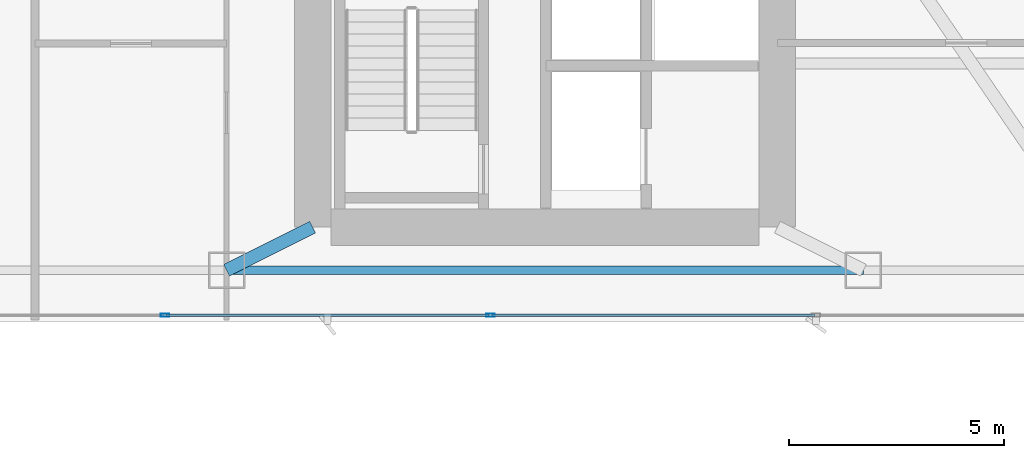
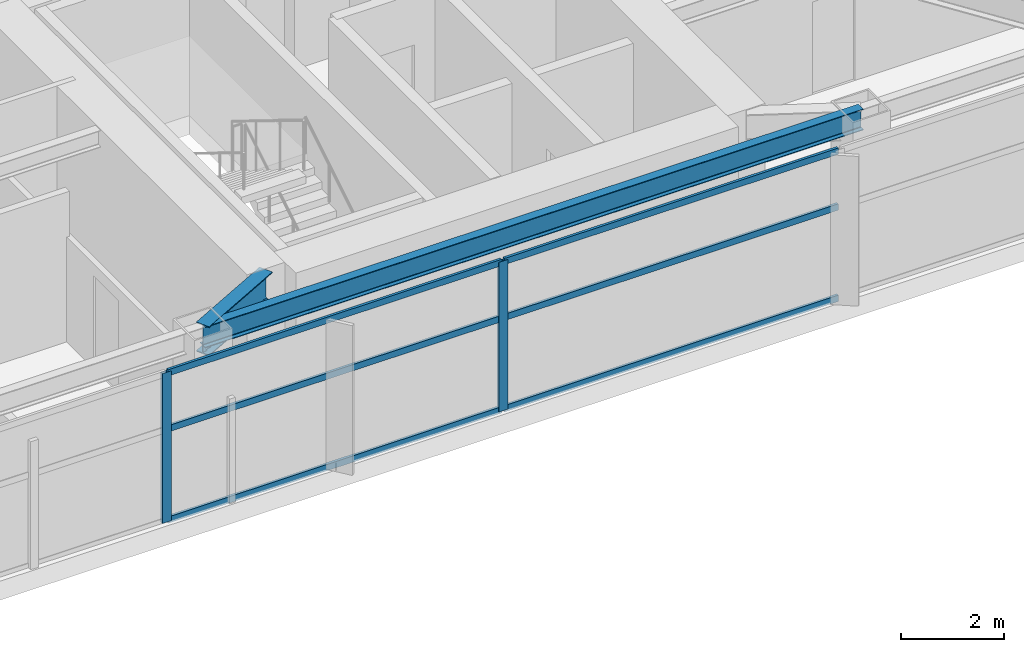
# One storey, part 6 of 28: 8 members, 2 beams, 1 element without a shape of its own.
"""IFC4 building model written with IfcOpenShell, lengths in metres."""

from ifc_helpers import new_model, si_unit, direction, frame, origin, origin_2d, place, context, subcontext, project, spatial, hollow_rectangle, i_section, extrude, material, layer, layer_set, material_profile, profile_set, type_object, element, aggregate, save


model = new_model("IFC4")

# Units and contexts
model_context = context("Model", 3, precision=1e-05, world=origin(), true_north=direction((0.0, 1.0)))
body_context = subcontext(model_context, "Body", "Model", "MODEL_VIEW")
ifc_project = project(units=[si_unit("LENGTHUNIT", "METRE"), si_unit("AREAUNIT", "SQUARE_METRE"), si_unit("VOLUMEUNIT", "CUBIC_METRE"), si_unit("PLANEANGLEUNIT", "RADIAN"), si_unit("MASSUNIT", "GRAM", prefix="KILO")], contexts=[model_context])

# Site, building, storey
site_placement = place(None, origin())
site = spatial("IfcSite", under=ifc_project, at=site_placement, CompositionType="ELEMENT")
building_placement = place(site_placement, origin())
building = spatial("IfcBuilding", under=site, at=building_placement, Name="Calvorn Quay Hotel", CompositionType="ELEMENT")
storey_placement = place(building_placement, frame((0.0, 0.0, 97.39990234375)))
storey = spatial("IfcBuildingStorey", under=building, at=storey_placement, Name="L23", CompositionType="ELEMENT", Elevation=97.39990234375)

# Beams
ifc_material_1 = material(Name="Steel Q390GJC", Category="steel")
ifc_material_profile_1 = material_profile(ifc_material_1, i_section(OverallWidth=0.300048828125, OverallDepth=0.699951171875, WebThickness=0.012939453125, FlangeThickness=0.02392578125, FilletRadius=0.02392578125, at=origin_2d()), Name="HN700x300x13x24")
ifc_profile_set_1 = profile_set([ifc_material_profile_1], Name="Steel Q390GJC")
beam_type_1 = type_object("IfcBeamType", Name="BM-GIRD-MAIN", PredefinedType="BEAM", material=ifc_profile_set_1)
beam_1_placement = place(storey_placement, frame((19.60009765625, 3.60009765625, 3.190185546875), z_axis=(0.894427191, 0.4472135955, 0.0), x_axis=(-0.4472135955, 0.894427191, 0.0)))
element("IfcBeam", 1, at=beam_1_placement, inside=storey, type_object=beam_type_1, Name="Beam BG-L23-S2", PredefinedType="BEAM", context=body_context, shape_type="SweptSolid", body=[
    extrude(i_section(OverallWidth=0.300048828125, OverallDepth=0.699951171875, WebThickness=0.012939453125, FlangeThickness=0.02392578125, FilletRadius=0.02392578125, at=origin_2d()), origin(), (0.0, 0.0, 1.0), 2.236083984375),
])
ifc_material_2 = material(Name="Steel Q355B", Category="steel")
ifc_material_profile_2 = material_profile(ifc_material_2, i_section(OverallWidth=0.199951171875, OverallDepth=0.5, WebThickness=0.010009765625, FlangeThickness=0.01611328125, FilletRadius=0.01611328125, at=origin_2d()), Name="HN500x200x10x16")
ifc_profile_set_2 = profile_set([ifc_material_profile_2], Name="Steel Q355B")
beam_type_2 = type_object("IfcBeamType", Name="BM-SPANDREL-Z1", PredefinedType="SPANDREL", material=ifc_profile_set_2)
beam_2_placement = place(storey_placement, frame((19.60009765625, 3.60009765625, 3.2900390625), z_axis=(1.0, 0.0, 0.0), x_axis=(0.0, 1.0, 0.0)))
element("IfcBeam", 2, at=beam_2_placement, inside=storey, type_object=beam_type_2, Name="Beam BSP-L23-S3", PredefinedType="SPANDREL", context=body_context, shape_type="SweptSolid", body=[
    extrude(i_section(OverallWidth=0.199951171875, OverallDepth=0.5, WebThickness=0.010009765625, FlangeThickness=0.01611328125, FilletRadius=0.01611328125, at=origin_2d()), origin(), (0.0, 0.0, 1.0), 14.7998046875),
])

# Curtain wall, members
ifc_material_3 = material(Name="Pale Anodised Aluminium and Low-E Glass", Category="aluminium")
ifc_layer = layer(ifc_material_3, 0.219970703125)
ifc_layer_set = layer_set([ifc_layer], Name="CW-SYS-Z2")
curtain_wall_type = type_object("IfcCurtainWallType", Name="CW-SYS-Z2", PredefinedType="NOTDEFINED", material=ifc_layer_set)
curtain_wall_placement = place(storey_placement, origin())
curtain_wall = element("IfcCurtainWall", 3, at=curtain_wall_placement, inside=storey, type_object=curtain_wall_type, Name="Tower South Waterfront Curtain Wall (L23)", PredefinedType="NOTDEFINED")
ifc_material_4 = material(Name="Pale Anodised Aluminium 6063-T6", Category="aluminium")
ifc_material_profile_3 = material_profile(ifc_material_4, hollow_rectangle(XDim=0.070068359375, YDim=0.199951171875, WallThickness=0.00390625, at=origin_2d()), Name="ALU-M200x70x4")
ifc_profile_set_3 = profile_set([ifc_material_profile_3], Name="Pale Anodised Aluminium 6063-T6")
member_type_1 = type_object("IfcMemberType", Name="CW-SYS-Z2-MUL", PredefinedType="MULLION", material=ifc_profile_set_3)
member_1_placement = place(storey_placement, frame((18.166748046875, 2.550048828125, 0.0), z_axis=(0.0, 0.0, 1.0), x_axis=(0.0, 1.0, 0.0)))
member_1 = element("IfcMember", 4, at=member_1_placement, type_object=member_type_1, Name="CW-L23-S mullion 2", PredefinedType="MULLION", context=body_context, shape_type="SweptSolid", body=[
    extrude(hollow_rectangle(XDim=0.070068359375, YDim=0.199951171875, WallThickness=0.00390625, at=origin_2d()), origin(), (0.0, 0.0, 1.0), 3.56005859375),
])
member_2_placement = place(storey_placement, frame((25.7333984375, 2.550048828125, 0.0), z_axis=(0.0, 0.0, 1.0), x_axis=(0.0, 1.0, 0.0)))
member_2 = element("IfcMember", 5, at=member_2_placement, type_object=member_type_1, Name="CW-L23-S mullion 3", PredefinedType="MULLION", context=body_context, shape_type="SweptSolid", body=[
    extrude(hollow_rectangle(XDim=0.070068359375, YDim=0.199951171875, WallThickness=0.00390625, at=origin_2d()), origin(), (0.0, 0.0, 1.0), 3.56005859375),
])
ifc_material_5 = material(Name="Pale Anodised Aluminium 6063-T6", Category="aluminium")
ifc_material_profile_4 = material_profile(ifc_material_5, hollow_rectangle(XDim=0.06005859375, YDim=0.14990234375, WallThickness=0.00341796875, at=origin_2d()), Name="ALU-T150x60x3.5")
ifc_profile_set_4 = profile_set([ifc_material_profile_4], Name="Pale Anodised Aluminium 6063-T6")
member_type_2 = type_object("IfcMemberType", Name="CW-SYS-Z2-TRN", PredefinedType="USERDEFINED", material=ifc_profile_set_4)
member_3_placement = place(storey_placement, frame((18.19677734375, 2.550048828125, 0.030029296875), z_axis=(1.0, 0.0, 0.0), x_axis=(0.0, 1.0, 0.0)))
member_3 = element("IfcMember", 6, at=member_3_placement, type_object=member_type_2, Name="CW-L23-S transom 2.1", ObjectType="TRANSOM", PredefinedType="USERDEFINED", context=body_context, shape_type="SweptSolid", body=[
    extrude(hollow_rectangle(XDim=0.06005859375, YDim=0.14990234375, WallThickness=0.00341796875, at=origin_2d()), origin(), (0.0, 0.0, 1.0), 7.506591796875),
])
member_4_placement = place(storey_placement, frame((18.19677734375, 2.550048828125, 2.2001953125), z_axis=(1.0, 0.0, 0.0), x_axis=(0.0, 1.0, 0.0)))
member_4 = element("IfcMember", 7, at=member_4_placement, type_object=member_type_2, Name="CW-L23-S transom 2.2", ObjectType="TRANSOM", PredefinedType="USERDEFINED", context=body_context, shape_type="SweptSolid", body=[
    extrude(hollow_rectangle(XDim=0.06005859375, YDim=0.14990234375, WallThickness=0.00341796875, at=origin_2d()), origin(), (0.0, 0.0, 1.0), 7.506591796875),
])
member_5_placement = place(storey_placement, frame((18.19677734375, 2.550048828125, 3.530029296875), z_axis=(1.0, 0.0, 0.0), x_axis=(0.0, 1.0, 0.0)))
member_5 = element("IfcMember", 8, at=member_5_placement, type_object=member_type_2, Name="CW-L23-S transom 2.3", ObjectType="TRANSOM", PredefinedType="USERDEFINED", context=body_context, shape_type="SweptSolid", body=[
    extrude(hollow_rectangle(XDim=0.06005859375, YDim=0.14990234375, WallThickness=0.00341796875, at=origin_2d()), origin(), (0.0, 0.0, 1.0), 7.506591796875),
])
member_6_placement = place(storey_placement, frame((25.763427734375, 2.550048828125, 0.030029296875), z_axis=(1.0, 0.0, 0.0), x_axis=(0.0, 1.0, 0.0)))
member_6 = element("IfcMember", 9, at=member_6_placement, type_object=member_type_2, Name="CW-L23-S transom 3.1", ObjectType="TRANSOM", PredefinedType="USERDEFINED", context=body_context, shape_type="SweptSolid", body=[
    extrude(hollow_rectangle(XDim=0.06005859375, YDim=0.14990234375, WallThickness=0.00341796875, at=origin_2d()), origin(), (0.0, 0.0, 1.0), 7.506591796875),
])
member_7_placement = place(storey_placement, frame((25.763427734375, 2.550048828125, 2.2001953125), z_axis=(1.0, 0.0, 0.0), x_axis=(0.0, 1.0, 0.0)))
member_7 = element("IfcMember", 10, at=member_7_placement, type_object=member_type_2, Name="CW-L23-S transom 3.2", ObjectType="TRANSOM", PredefinedType="USERDEFINED", context=body_context, shape_type="SweptSolid", body=[
    extrude(hollow_rectangle(XDim=0.06005859375, YDim=0.14990234375, WallThickness=0.00341796875, at=origin_2d()), origin(), (0.0, 0.0, 1.0), 7.506591796875),
])
member_8_placement = place(storey_placement, frame((25.763427734375, 2.550048828125, 3.530029296875), z_axis=(1.0, 0.0, 0.0), x_axis=(0.0, 1.0, 0.0)))
member_8 = element("IfcMember", 11, at=member_8_placement, type_object=member_type_2, Name="CW-L23-S transom 3.3", ObjectType="TRANSOM", PredefinedType="USERDEFINED", context=body_context, shape_type="SweptSolid", body=[
    extrude(hollow_rectangle(XDim=0.06005859375, YDim=0.14990234375, WallThickness=0.00341796875, at=origin_2d()), origin(), (0.0, 0.0, 1.0), 7.506591796875),
])
aggregate(curtain_wall, [member_1, member_2, member_3, member_4, member_5, member_6, member_7, member_8])

save(model, "model.ifc")
